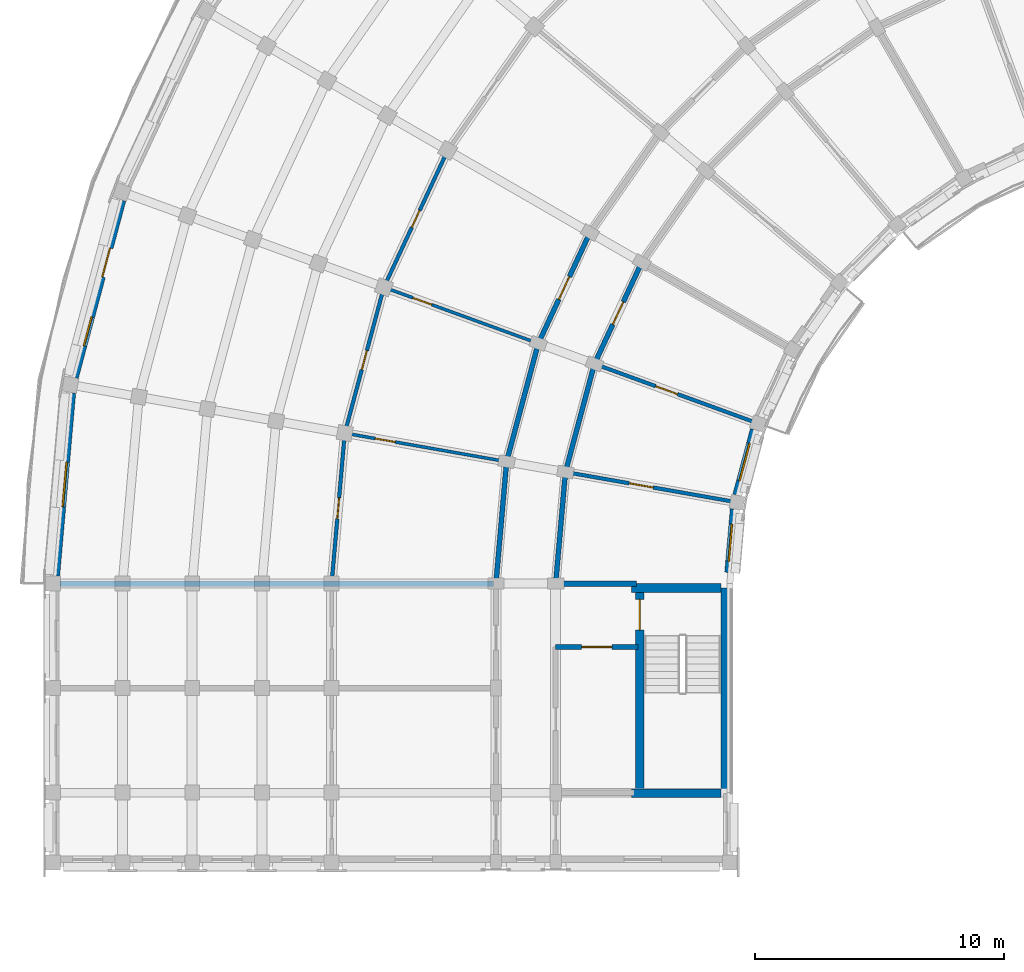
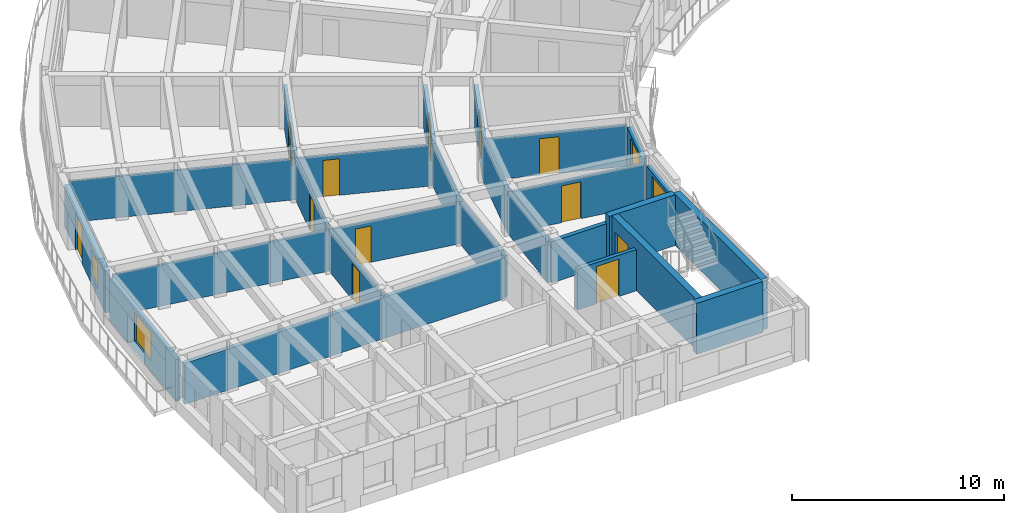
# One storey, part 12 of 36: 24 walls, 12 doors, 4 windows, 16 openings.
"""IFC4 building model written with IfcOpenShell, lengths in metres."""

import ifcopenshell
import ifcopenshell.guid

model = None  # the IFC model being written
_history = None  # IfcOwnerHistory: only IFC2X3 demands one
_inside = {}  # id of a spatial element -> (the spatial element, [elements in it])
_under = {}  # id of a project, library or spatial element -> (it, [spatial elements below it])
_declared = {}  # id of a project -> (the project, [libraries it declares])
_typed = {}  # id of a type object -> (the type object, [elements of that type])
_made_of = {}  # id of a material, layer set ... -> (it, [elements and type objects made of it])


def new_model(schema):
    """Start an empty IFC model of exactly this schema.

    Asked for "IFC4X3", IfcOpenShell would pick the latest addendum, in which some entities
    have other attributes; the version numbers below select the first issue.
    IFC2X3 requires an IfcOwnerHistory on every rooted entity: one is made here for all.
    """
    global model, _history
    if schema == "IFC4X3":
        model = ifcopenshell.file(schema_version=(4, 3, 0, 0))
    else:
        model = ifcopenshell.file(schema=schema)
    _inside.clear()
    _under.clear()
    _declared.clear()
    _typed.clear()
    _made_of.clear()
    _history = None
    if model.schema == "IFC2X3":
        org = make("IfcOrganization", Name="unknown")
        user = make(
            "IfcPersonAndOrganization",
            ThePerson=make("IfcPerson", FamilyName="unknown"),
            TheOrganization=org,
        )
        app = make(
            "IfcApplication",
            ApplicationDeveloper=org,
            Version="unknown",
            ApplicationFullName="unknown",
            ApplicationIdentifier="unknown",
        )
        _history = make(
            "IfcOwnerHistory",
            OwningUser=user,
            OwningApplication=app,
            ChangeAction="ADDED",
            CreationDate=0,
        )
    return model


def make(cls, **values):
    """One entity of the class cls with the attributes given. An attribute that is None is left unset."""
    return model.create_entity(
        cls, **{name: value for name, value in values.items() if value is not None}
    )


def rooted(cls, **values):
    """An entity with a GlobalId (a new one), such as an element, a storey or a relation."""
    return make(cls, GlobalId=ifcopenshell.guid.new(), OwnerHistory=_history, **values)


def si_unit(unit_type, name, prefix=None):
    """IfcSIUnit, for example si_unit("LENGTHUNIT", "METRE", prefix="MILLI")."""
    return make("IfcSIUnit", UnitType=unit_type, Prefix=prefix, Name=name)


def assignment(units):
    """IfcUnitAssignment: the units of a project."""
    return None if units is None else make("IfcUnitAssignment", Units=units)


def point(xyz):
    """IfcCartesianPoint."""
    return None if xyz is None else make("IfcCartesianPoint", Coordinates=xyz)


def direction(xyz):
    """IfcDirection."""
    return None if xyz is None else make("IfcDirection", DirectionRatios=xyz)


def frame(location, z_axis=None, x_axis=None):
    """IfcAxis2Placement3D, a coordinate frame: its origin and axes. An axis left out is left unset."""
    return make(
        "IfcAxis2Placement3D",
        Location=point(location),
        Axis=direction(z_axis),
        RefDirection=direction(x_axis),
    )


def frame_2d(location, x_axis=None):
    """IfcAxis2Placement2D, a coordinate frame in the plane: its origin and x axis."""
    return make(
        "IfcAxis2Placement2D", Location=point(location), RefDirection=direction(x_axis)
    )


def origin():
    """The frame at (0, 0, 0) with its axes left unset."""
    return frame((0.0, 0.0, 0.0))


def place(relative_to, where):
    """IfcLocalPlacement: puts the frame where relative to a parent placement (None: the world)."""
    return make(
        "IfcLocalPlacement", PlacementRelTo=relative_to, RelativePlacement=where
    )


def context(
    kind, dimensions, precision=None, world=None, true_north=None, identifier=None
):
    """IfcGeometricRepresentationContext, for example the 3D "Model" context."""
    return make(
        "IfcGeometricRepresentationContext",
        ContextIdentifier=identifier,
        ContextType=kind,
        CoordinateSpaceDimension=dimensions,
        Precision=precision,
        WorldCoordinateSystem=world,
        TrueNorth=true_north,
    )


def subcontext(parent, identifier, kind, view, scale=None):
    """IfcGeometricRepresentationSubContext, for example "Body" below "Model"."""
    return make(
        "IfcGeometricRepresentationSubContext",
        ContextIdentifier=identifier,
        ContextType=kind,
        ParentContext=parent,
        TargetScale=scale,
        TargetView=view,
    )


def project(units=None, contexts=None):
    """IfcProject with its units and contexts."""
    return rooted(
        "IfcProject",
        Name="project",
        RepresentationContexts=contexts,
        UnitsInContext=assignment(units),
    )


def spatial(cls, under=None, at=None, **own):
    """A site, building, storey or space (cls), placed at a placement, below another one or the project."""
    s = rooted(cls, ObjectPlacement=at, **own)
    if under is not None:
        _under.setdefault(under.id(), (under, []))[1].append(s)
    return s


def profile(cls, at=None, kind="AREA", **sizes):
    """A parametric profile (cls). Its sizes go by their IFC names, for example OverallWidth=200.0."""
    return make(cls, ProfileType=kind, Position=at, **sizes)


def rectangle(**sizes):
    """IfcRectangleProfileDef."""
    return profile("IfcRectangleProfileDef", **sizes)


def extrude(swept, where, along, depth):
    """IfcExtrudedAreaSolid: the profile swept, set in the frame where, extruded along a direction by depth."""
    return make(
        "IfcExtrudedAreaSolid",
        SweptArea=swept,
        Position=where,
        ExtrudedDirection=direction(along),
        Depth=depth,
    )


def shape(context_of_items, identifier, shape_type, items):
    """IfcShapeRepresentation: the items that make up one representation, for example the "Body"."""
    return make(
        "IfcShapeRepresentation",
        ContextOfItems=context_of_items,
        RepresentationIdentifier=identifier,
        RepresentationType=shape_type,
        Items=items,
    )


def material(Name=None, Category=None):
    """IfcMaterial."""
    return make("IfcMaterial", Name=Name, Category=Category)


def layer(
    of_material, thickness, ventilated=None, Name=None, Category=None, Priority=None
):
    """IfcMaterialLayer: one layer of a wall or slab, of a material (None: an air gap)."""
    return make(
        "IfcMaterialLayer",
        Material=of_material,
        LayerThickness=thickness,
        IsVentilated=ventilated,
        Name=Name,
        Category=Category,
        Priority=Priority,
    )


def layer_set(layers, Name=None):
    """IfcMaterialLayerSet."""
    return make("IfcMaterialLayerSet", MaterialLayers=layers, LayerSetName=Name)


def made_of(thing, what):
    """Note that an element or type object is made of a material, layer set ...; save() writes the relation."""
    if what is not None:
        _made_of.setdefault(what.id(), (what, []))[1].append(thing)
    return thing


def type_object(cls, material=None, **own):
    """A type object (cls), such as IfcWallType, which elements share."""
    return made_of(rooted(cls, **own), material)


def element(
    cls,
    number,
    at=None,
    inside=None,
    cuts=None,
    type_object=None,
    material=None,
    context=None,
    identifier="Body",
    shape_type=None,
    held_by="IfcProductDefinitionShape",
    body=None,
    shapes=None,
    **own,
):
    """One element of the class cls, such as IfcWall. Its Tag is "e" and its number.

    at: its placement. inside: the storey or other place that contains it. cuts: it is an
    opening in that element (IfcRelVoidsElement). A single representation is given by context,
    identifier, shape_type and body (its items); several are given by shapes. held_by: the class
    of the entity that holds the representations. save() writes the other relations.
    """
    e = rooted(cls, Tag="e%d" % number, ObjectPlacement=at, **own)
    if body is not None:
        shapes = [shape(context, identifier, shape_type, body)]
    if shapes is not None:
        e.Representation = make(held_by, Representations=shapes)
    if inside is not None:
        _inside.setdefault(inside.id(), (inside, []))[1].append(e)
    if cuts is not None:
        rooted(
            "IfcRelVoidsElement", RelatingBuildingElement=cuts, RelatedOpeningElement=e
        )
    if type_object is not None:
        _typed.setdefault(type_object.id(), (type_object, []))[1].append(e)
    return made_of(e, material)


def fill(opening, filler):
    """IfcRelFillsElement: the door or window that sits in an opening."""
    return rooted(
        "IfcRelFillsElement",
        RelatingOpeningElement=opening,
        RelatedBuildingElement=filler,
    )


def aggregate(whole, parts):
    """IfcRelAggregates: a whole, such as a stair, and the parts it consists of."""
    return rooted("IfcRelAggregates", RelatingObject=whole, RelatedObjects=parts)


def save(model, path):
    """Write the relations noted so far, then the file.

    IfcRelAggregates (storeys below a building ...), IfcRelContainedInSpatialStructure (elements
    in a storey), IfcRelDefinesByType, IfcRelAssociatesMaterial and IfcRelDeclares: one each for
    every whole, place, type object, material and project.
    """
    for whole, parts in _under.values():
        aggregate(whole, parts)
    for where, things in _inside.values():
        rooted(
            "IfcRelContainedInSpatialStructure",
            RelatedElements=things,
            RelatingStructure=where,
        )
    for kind, things in _typed.values():
        rooted("IfcRelDefinesByType", RelatedObjects=things, RelatingType=kind)
    for what, things in _made_of.values():
        rooted("IfcRelAssociatesMaterial", RelatedObjects=things, RelatingMaterial=what)
    for by, libraries in _declared.values():
        rooted("IfcRelDeclares", RelatingContext=by, RelatedDefinitions=libraries)
    model.write(path)


model = new_model("IFC4")

# Units and contexts
model_context = context("Model", 3, precision=1e-05, world=origin(), true_north=direction((0.0, 1.0)))
body_context = subcontext(model_context, "Body", "Model", "MODEL_VIEW")
ifc_project = project(units=[si_unit("LENGTHUNIT", "METRE"), si_unit("AREAUNIT", "SQUARE_METRE"), si_unit("VOLUMEUNIT", "CUBIC_METRE"), si_unit("PLANEANGLEUNIT", "RADIAN"), si_unit("MASSUNIT", "GRAM", prefix="KILO")], contexts=[model_context])

# Site, building, storey
site_placement = place(None, origin())
site = spatial("IfcSite", under=ifc_project, at=site_placement, CompositionType="ELEMENT")
building_placement = place(site_placement, origin())
building = spatial("IfcBuilding", under=site, at=building_placement, Name="Kiranvali Square Residences", CompositionType="ELEMENT")
storey_placement = place(building_placement, frame((0.0, 0.0, 37.050048828125)))
storey = spatial("IfcBuildingStorey", under=building, at=storey_placement, Name="L11", CompositionType="ELEMENT", Elevation=37.050048828125)

# Wall, opening, door
ifc_material_1 = material(Name="Autoclaved aerated concrete blockwork masonry", Category="masonry")
ifc_layer_1 = layer(ifc_material_1, 0.199951171875)
ifc_layer_set_1 = layer_set([ifc_layer_1], Name="Autoclaved aerated concrete blockwork masonry")
wall_type_1 = type_object("IfcWallType", Name="WL-COR-200", PredefinedType="STANDARD", material=ifc_layer_set_1)
wall_1_placement = place(storey_placement, frame((25.699951171875, 85.25, 0.0), z_axis=(0.0, 0.0, 1.0), x_axis=(-1.0, 0.0, 0.0)))
wall_1 = element("IfcWall", 1, at=wall_1_placement, inside=storey, type_object=wall_type_1, Name="L11 architectural wall WL-L11-A-S3-V", PredefinedType="STANDARD", context=body_context, shape_type="SweptSolid", body=[
    extrude(rectangle(XDim=3.300048828125, YDim=0.199951171875, at=frame_2d((1.64990234375, 0.0))), origin(), (0.0, 0.0, 1.0), 2.3720703125),
])
opening_1_placement = place(wall_1_placement, frame((1.0400390625, 0.0, 0.0)))
opening_1 = element("IfcOpeningElement", 2, at=opening_1_placement, cuts=wall_1, Name="Opening FD-COR-60", PredefinedType="OPENING", context=body_context, shape_type="SweptSolid", body=[
    extrude(rectangle(XDim=1.219970703125, YDim=2.14990234375, at=frame_2d((0.60986328125, 1.074951171875))), frame((0.0, 0.10986328125, 0.0), z_axis=(0.0, -1.0, 0.0), x_axis=(1.0, 0.0, 0.0)), (0.0, 0.0, 1.0), 0.219970703125),
])
ifc_material_2 = material(Name="Fire-rated acoustic hardwood and mineral-core door assembly", Category="wood")
door_type_1 = type_object("IfcDoorType", Name="DR-FD60-1200", OperationType="NOTDEFINED", PredefinedType="DOOR", material=ifc_material_2)
door_1_placement = place(opening_1_placement, origin())
door_1 = element("IfcDoor", 3, at=door_1_placement, inside=storey, type_object=door_type_1, Name="L11 door DR-L11-0687 (DR-FD60-1200)", OperationType="SINGLE_SWING_LEFT", OverallHeight=2.14990234375, OverallWidth=1.219970703125, PredefinedType="DOOR", context=body_context, shape_type="SweptSolid", body=[
    extrude(rectangle(XDim=1.219970703125, YDim=2.14990234375, at=frame_2d((0.60986328125, 1.074951171875))), frame((0.0, 0.02490234375, 0.0), z_axis=(0.0, -1.0, 0.0), x_axis=(1.0, 0.0, 0.0)), (0.0, 0.0, 1.0), 0.050048828125),
])
fill(opening_1, door_1)

wall_2_placement = place(storey_placement, frame((25.8564453125, 100.699951171875, 0.0), z_axis=(0.0, 0.0, 1.0), x_axis=(-0.422617978463, -0.906307919131, 0.0)))
wall_2 = element("IfcWall", 4, at=wall_2_placement, inside=storey, type_object=wall_type_1, Name="L11 architectural wall WL-L11-A-CCI-6", PredefinedType="STANDARD", context=body_context, shape_type="SweptSolid", body=[
    extrude(rectangle(XDim=4.497314453125, YDim=0.199951171875, at=frame_2d((2.24853515625, 0.0))), origin(), (0.0, 0.0, 1.0), 2.3720703125),
])
opening_2_placement = place(wall_2_placement, frame((1.74853515625, 0.0, 0.0)))
opening_2 = element("IfcOpeningElement", 5, at=opening_2_placement, cuts=wall_2, Name="Opening FD-APT-60", PredefinedType="OPENING", context=body_context, shape_type="SweptSolid", body=[
    extrude(rectangle(XDim=1.0, YDim=2.14990234375, at=frame_2d((0.5, 1.074951171875))), frame((0.0, 0.10986328125, 0.0), z_axis=(0.0, -1.0, 0.0), x_axis=(1.0, 0.0, 0.0)), (0.0, 0.0, 1.0), 0.219970703125),
])
door_type_2 = type_object("IfcDoorType", Name="DR-APT-1000", OperationType="NOTDEFINED", PredefinedType="DOOR", material=ifc_material_2)
door_2_placement = place(opening_2_placement, frame((1.0, 0.0, 0.0), z_axis=(0.0, 0.0, 1.0), x_axis=(-1.0, 0.0, 0.0)))
door_2 = element("IfcDoor", 6, at=door_2_placement, inside=storey, type_object=door_type_2, Name="L11 door DR-L11-0732 (DR-APT-1000)", OperationType="SINGLE_SWING_RIGHT", OverallHeight=2.14990234375, OverallWidth=1.0, PredefinedType="DOOR", context=body_context, shape_type="SweptSolid", body=[
    extrude(rectangle(XDim=1.0, YDim=2.14990234375, at=frame_2d((0.5, 1.074951171875))), frame((0.0, 0.02490234375, 0.0), z_axis=(0.0, -1.0, 0.0), x_axis=(1.0, 0.0, 0.0)), (0.0, 0.0, 1.0), 0.050048828125),
])
fill(opening_2, door_2)

wall_3_placement = place(storey_placement, frame((23.778076171875, 101.89990234375, 0.0), z_axis=(0.0, 0.0, 1.0), x_axis=(-0.422629854778, -0.906302381024, 0.0)))
wall_3 = element("IfcWall", 7, at=wall_3_placement, inside=storey, type_object=wall_type_1, Name="L11 architectural wall WL-L11-A-CCO-6", PredefinedType="STANDARD", context=body_context, shape_type="SweptSolid", body=[
    extrude(rectangle(XDim=4.915283203125, YDim=0.199951171875, at=frame_2d((2.45751953125, 0.0))), origin(), (0.0, 0.0, 1.0), 2.3720703125),
])
opening_3_placement = place(wall_3_placement, frame((1.957763671875, 0.0, 0.0)))
opening_3 = element("IfcOpeningElement", 8, at=opening_3_placement, cuts=wall_3, Name="Opening FD-APT-60", PredefinedType="OPENING", context=body_context, shape_type="SweptSolid", body=[
    extrude(rectangle(XDim=1.0, YDim=2.14990234375, at=frame_2d((0.5, 1.074951171875))), frame((0.0, 0.10986328125, 0.0), z_axis=(0.0, -1.0, 0.0), x_axis=(1.0, 0.0, 0.0)), (0.0, 0.0, 1.0), 0.219970703125),
])
door_3_placement = place(opening_3_placement, frame((1.0, 0.0, 0.0), z_axis=(0.0, 0.0, 1.0), x_axis=(-1.0, 0.0, 0.0)))
door_3 = element("IfcDoor", 9, at=door_3_placement, inside=storey, type_object=door_type_2, Name="L11 door DR-L11-0726 (DR-APT-1000)", OperationType="SINGLE_SWING_RIGHT", OverallHeight=2.14990234375, OverallWidth=1.0, PredefinedType="DOOR", context=body_context, shape_type="SweptSolid", body=[
    extrude(rectangle(XDim=1.0, YDim=2.14990234375, at=frame_2d((0.5, 1.074951171875))), frame((0.0, 0.02490234375, 0.0), z_axis=(0.0, -1.0, 0.0), x_axis=(1.0, 0.0, 0.0)), (0.0, 0.0, 1.0), 0.050048828125),
])
fill(opening_3, door_3)

# Walls
wall_4_placement = place(storey_placement, frame((23.955810546875, 96.6240234375, 0.0), z_axis=(0.0, 0.0, 1.0), x_axis=(-0.258787642463, -0.965934240054, 0.0)))
element("IfcWall", 10, at=wall_4_placement, inside=storey, type_object=wall_type_1, Name="L11 architectural wall WL-L11-A-CCI-7", PredefinedType="STANDARD", context=body_context, shape_type="SweptSolid", body=[
    extrude(rectangle(XDim=4.497314453125, YDim=0.199951171875, at=frame_2d((2.24853515625, 0.0))), origin(), (0.0, 0.0, 1.0), 2.3720703125),
])
wall_5_placement = place(storey_placement, frame((21.70068359375, 97.445068359375, 0.0), z_axis=(0.0, 0.0, 1.0), x_axis=(-0.258803112091, -0.965930095386, 0.0)))
element("IfcWall", 11, at=wall_5_placement, inside=storey, type_object=wall_type_1, Name="L11 architectural wall WL-L11-A-CCO-7", PredefinedType="STANDARD", context=body_context, shape_type="SweptSolid", body=[
    extrude(rectangle(XDim=4.915771484375, YDim=0.199951171875, at=frame_2d((2.4580078125, 0.0))), origin(), (0.0, 0.0, 1.0), 2.3720703125),
])
wall_6_placement = place(storey_placement, frame((22.7919921875, 92.280029296875, 0.0), z_axis=(0.0, 0.0, 1.0), x_axis=(-0.087187153726, -0.996191949488, 0.0)))
element("IfcWall", 12, at=wall_6_placement, inside=storey, type_object=wall_type_1, Name="L11 architectural wall WL-L11-A-CCI-8", PredefinedType="STANDARD", context=body_context, shape_type="SweptSolid", body=[
    extrude(rectangle(XDim=4.4970703125, YDim=0.199951171875, at=frame_2d((2.24853515625, 0.0))), origin(), (0.0, 0.0, 1.0), 2.3720703125),
])
wall_7_placement = place(storey_placement, frame((20.428466796875, 92.69677734375, 0.0), z_axis=(0.0, 0.0, 1.0), x_axis=(-0.087167566415, -0.996193663584, 0.0)))
element("IfcWall", 13, at=wall_7_placement, inside=storey, type_object=wall_type_1, Name="L11 architectural wall WL-L11-A-CCO-8", PredefinedType="STANDARD", context=body_context, shape_type="SweptSolid", body=[
    extrude(rectangle(XDim=4.91552734375, YDim=0.199951171875, at=frame_2d((2.457763671875, 0.0))), origin(), (0.0, 0.0, 1.0), 2.3720703125),
])
ifc_layer_2 = layer(ifc_material_1, 0.219970703125)
ifc_layer_set_2 = layer_set([ifc_layer_2], Name="Autoclaved aerated concrete blockwork masonry")
wall_type_2 = type_object("IfcWallType", Name="WL-DEM-220", PredefinedType="STANDARD", material=ifc_layer_set_2)
wall_8_placement = place(storey_placement, frame((25.64990234375, 87.800048828125, 0.0), z_axis=(0.0, 0.0, 1.0), x_axis=(-1.0, 0.0, 0.0)))
element("IfcWall", 14, at=wall_8_placement, inside=storey, type_object=wall_type_2, Name="L11 architectural wall WL-L11-A-RADI-9", PredefinedType="STANDARD", context=body_context, shape_type="SweptSolid", body=[
    extrude(rectangle(XDim=3.199951171875, YDim=0.219970703125, at=frame_2d((1.60009765625, 0.0))), origin(), (0.0, 0.0, 1.0), 2.3720703125),
])
wall_9_placement = place(storey_placement, frame((19.89990234375, 87.800048828125, 0.0), z_axis=(0.0, 0.0, 1.0), x_axis=(-1.0, 0.0, 0.0)))
element("IfcWall", 15, at=wall_9_placement, inside=storey, type_object=wall_type_2, Name="L11 architectural wall WL-L11-A-RADO-9", PredefinedType="STANDARD", context=body_context, shape_type="SweptSolid", body=[
    extrude(rectangle(XDim=17.419921875, YDim=0.219970703125, at=frame_2d((8.7099609375, 0.0))), origin(), (0.0, 0.0, 1.0), 2.3720703125),
])

# Wall, openings, door, window
ifc_material_3 = material(Name="Breathable lime-rendered clay brick masonry", Category="masonry")
ifc_layer_3 = layer(ifc_material_3, 0.25)
ifc_layer_set_3 = layer_set([ifc_layer_3], Name="Breathable lime-rendered clay brick masonry")
wall_type_3 = type_object("IfcWallType", Name="WL-EXT-250", PredefinedType="STANDARD", material=ifc_layer_set_3)
wall_10_placement = place(storey_placement, frame((5.010498046875, 103.18603515625, 0.0), z_axis=(0.0, 0.0, 1.0), x_axis=(-0.258821669831, -0.965925122991, 0.0)))
wall_10 = element("IfcWall", 16, at=wall_10_placement, inside=storey, type_object=wall_type_3, Name="L11 exterior wall A-L11-CRV-07", PredefinedType="STANDARD", context=body_context, shape_type="SweptSolid", body=[
    extrude(rectangle(XDim=7.366943359375, YDim=0.25, at=frame_2d((3.68359375, 0.0))), origin(), (0.0, 0.0, 1.0), 2.411865234375),
])
opening_4_placement = place(wall_10_placement, frame((4.83984375, 0.0, 0.4619140625)))
opening_4 = element("IfcOpeningElement", 17, at=opening_4_placement, cuts=wall_10, Name="Opening W-06", PredefinedType="OPENING", context=body_context, shape_type="SweptSolid", body=[
    extrude(rectangle(XDim=1.199951171875, YDim=1.5, at=frame_2d((0.60009765625, 0.75))), frame((0.0, 0.135009765625, 0.0), z_axis=(0.0, -1.0, 0.0), x_axis=(1.0, 0.0, 0.0)), (0.0, 0.0, 1.0), 0.27001953125),
])
opening_5_placement = place(wall_10_placement, frame((1.978515625, 0.0, 0.0)))
opening_5 = element("IfcOpeningElement", 18, at=opening_5_placement, cuts=wall_10, Name="Opening ED-BAL-1", PredefinedType="OPENING", context=body_context, shape_type="SweptSolid", body=[
    extrude(rectangle(XDim=1.199951171875, YDim=2.14990234375, at=frame_2d((0.60009765625, 1.074951171875))), frame((0.0, 0.135009765625, 0.0), z_axis=(0.0, -1.0, 0.0), x_axis=(1.0, 0.0, 0.0)), (0.0, 0.0, 1.0), 0.27001953125),
])
ifc_material_4 = material(Name="Anodised bronze aluminium framing", Category="aluminium")
door_type_3 = type_object("IfcDoorType", Name="DR-BAL-1200", OperationType="NOTDEFINED", PredefinedType="DOOR", material=ifc_material_4)
door_4_placement = place(opening_5_placement, frame((1.199951171875, 0.0, 0.0), z_axis=(0.0, 0.0, 1.0), x_axis=(-1.0, 0.0, 0.0)))
door_4 = element("IfcDoor", 19, at=door_4_placement, inside=storey, type_object=door_type_3, Name="L11 balcony terrace door", OperationType="SINGLE_SWING_LEFT", OverallHeight=2.14990234375, OverallWidth=1.199951171875, PredefinedType="DOOR", context=body_context, shape_type="SweptSolid", body=[
    extrude(rectangle(XDim=1.199951171875, YDim=2.14990234375, at=frame_2d((0.60009765625, 1.074951171875))), frame((0.0, 0.02490234375, 0.0), z_axis=(0.0, -1.0, 0.0), x_axis=(1.0, 0.0, 0.0)), (0.0, 0.0, 1.0), 0.050048828125),
])
fill(opening_5, door_4)
ifc_material_5 = material(Name="Solar-control low-e double glazing", Category="glass")
window_type_1 = type_object("IfcWindowType", Name="WIN-RES-1200x1500", PartitioningType="SINGLE_PANEL", PredefinedType="WINDOW", material=ifc_material_5)
window_1_placement = place(opening_4_placement, origin())
window_1 = element("IfcWindow", 20, at=window_1_placement, inside=storey, type_object=window_type_1, Name="L11 recessed window A-L11-CRV-07", OverallHeight=1.5, OverallWidth=1.199951171875, PartitioningType="SINGLE_PANEL", PredefinedType="WINDOW", context=body_context, shape_type="SweptSolid", body=[
    extrude(rectangle(XDim=1.199951171875, YDim=1.5, at=frame_2d((0.60009765625, 0.75))), frame((0.0, 0.030029296875, 0.0), z_axis=(0.0, -1.0, 0.0), x_axis=(1.0, 0.0, 0.0)), (0.0, 0.0, 1.0), 0.06005859375),
])
fill(opening_4, window_1)

# Wall, opening, window
wall_11_placement = place(storey_placement, frame((2.994873046875, 95.45263671875, 0.0), z_axis=(0.0, 0.0, 1.0), x_axis=(-0.087122963287, -0.996197565379, 0.0)))
wall_11 = element("IfcWall", 21, at=wall_11_placement, inside=storey, type_object=wall_type_3, Name="L11 exterior wall A-L11-CRV-08", PredefinedType="STANDARD", context=body_context, shape_type="SweptSolid", body=[
    extrude(rectangle(XDim=7.3671875, YDim=0.25, at=frame_2d((3.68359375, 0.0))), origin(), (0.0, 0.0, 1.0), 2.411865234375),
])
opening_6_placement = place(wall_11_placement, frame((2.783447265625, 0.0, 0.56201171875)))
opening_6 = element("IfcOpeningElement", 22, at=opening_6_placement, cuts=wall_11, Name="Opening W-04", PredefinedType="OPENING", context=body_context, shape_type="SweptSolid", body=[
    extrude(rectangle(XDim=1.800048828125, YDim=1.64990234375, at=frame_2d((0.89990234375, 0.824951171875))), frame((0.0, 0.135009765625, 0.0), z_axis=(0.0, -1.0, 0.0), x_axis=(1.0, 0.0, 0.0)), (0.0, 0.0, 1.0), 0.27001953125),
])
window_type_2 = type_object("IfcWindowType", Name="WIN-RES-1800x1650", PartitioningType="DOUBLE_PANEL_VERTICAL", PredefinedType="WINDOW", material=ifc_material_5)
window_2_placement = place(opening_6_placement, origin())
window_2 = element("IfcWindow", 23, at=window_2_placement, inside=storey, type_object=window_type_2, Name="L11 recessed window A-L11-CRV-08", OverallHeight=1.64990234375, OverallWidth=1.800048828125, PartitioningType="DOUBLE_PANEL_VERTICAL", PredefinedType="WINDOW", context=body_context, shape_type="SweptSolid", body=[
    extrude(rectangle(XDim=1.800048828125, YDim=1.64990234375, at=frame_2d((0.89990234375, 0.824951171875))), frame((0.0, 0.030029296875, 0.0), z_axis=(0.0, -1.0, 0.0), x_axis=(1.0, 0.0, 0.0)), (0.0, 0.0, 1.0), 0.06005859375),
])
fill(opening_6, window_2)

wall_12_placement = place(storey_placement, frame((30.3408203125, 93.9931640625, 0.0), z_axis=(0.0, 0.0, 1.0), x_axis=(-0.258807879411, -0.965928818058, 0.0)))
wall_12 = element("IfcWall", 24, at=wall_12_placement, inside=storey, type_object=wall_type_3, Name="L11 exterior wall A-L11-GDN-07", PredefinedType="STANDARD", context=body_context, shape_type="SweptSolid", body=[
    extrude(rectangle(XDim=2.7197265625, YDim=0.25, at=frame_2d((1.35986328125, 0.0))), origin(), (0.0, 0.0, 1.0), 2.421875),
])
opening_7_placement = place(wall_12_placement, frame((0.5849609375, 0.0, 0.6220703125)))
opening_7 = element("IfcOpeningElement", 25, at=opening_7_placement, cuts=wall_12, Name="Opening W-18", PredefinedType="OPENING", context=body_context, shape_type="SweptSolid", body=[
    extrude(rectangle(XDim=1.550048828125, YDim=1.60009765625, at=frame_2d((0.77490234375, 0.800048828125))), frame((0.0, 0.135009765625, 0.0), z_axis=(0.0, -1.0, 0.0), x_axis=(1.0, 0.0, 0.0)), (0.0, 0.0, 1.0), 0.27001953125),
])
window_type_3 = type_object("IfcWindowType", Name="WIN-GDN-1550x1600", PartitioningType="DOUBLE_PANEL_VERTICAL", PredefinedType="WINDOW", material=ifc_material_5)
window_3_placement = place(opening_7_placement, origin())
window_3 = element("IfcWindow", 26, at=window_3_placement, inside=storey, type_object=window_type_3, Name="L11 recessed window A-L11-GDN-07", OverallHeight=1.60009765625, OverallWidth=1.550048828125, PartitioningType="DOUBLE_PANEL_VERTICAL", PredefinedType="WINDOW", context=body_context, shape_type="SweptSolid", body=[
    extrude(rectangle(XDim=1.550048828125, YDim=1.60009765625, at=frame_2d((0.77490234375, 0.800048828125))), frame((0.0, 0.030029296875, 0.0), z_axis=(0.0, -1.0, 0.0), x_axis=(1.0, 0.0, 0.0)), (0.0, 0.0, 1.0), 0.06005859375),
])
fill(opening_7, window_3)

wall_13_placement = place(storey_placement, frame((29.536865234375, 90.7978515625, 0.0), z_axis=(0.0, 0.0, 1.0), x_axis=(-0.087222589008, -0.996188847542, 0.0)))
wall_13 = element("IfcWall", 27, at=wall_13_placement, inside=storey, type_object=wall_type_3, Name="L11 exterior wall A-L11-GDN-08", PredefinedType="STANDARD", context=body_context, shape_type="SweptSolid", body=[
    extrude(rectangle(XDim=2.558349609375, YDim=0.25, at=frame_2d((1.279296875, 0.0))), origin(), (0.0, 0.0, 1.0), 2.421875),
])
opening_8_placement = place(wall_13_placement, frame((0.60986328125, 0.0, 0.572021484375)))
opening_8 = element("IfcOpeningElement", 28, at=opening_8_placement, cuts=wall_13, Name="Opening W-05", PredefinedType="OPENING", context=body_context, shape_type="SweptSolid", body=[
    extrude(rectangle(XDim=1.5, YDim=1.64990234375, at=frame_2d((0.75, 0.824951171875))), frame((0.0, 0.135009765625, 0.0), z_axis=(0.0, -1.0, 0.0), x_axis=(1.0, 0.0, 0.0)), (0.0, 0.0, 1.0), 0.27001953125),
])
window_type_4 = type_object("IfcWindowType", Name="WIN-RES-1500x1650", PartitioningType="DOUBLE_PANEL_VERTICAL", PredefinedType="WINDOW", material=ifc_material_5)
window_4_placement = place(opening_8_placement, origin())
window_4 = element("IfcWindow", 29, at=window_4_placement, inside=storey, type_object=window_type_4, Name="L11 recessed window A-L11-GDN-08", OverallHeight=1.64990234375, OverallWidth=1.5, PartitioningType="DOUBLE_PANEL_VERTICAL", PredefinedType="WINDOW", context=body_context, shape_type="SweptSolid", body=[
    extrude(rectangle(XDim=1.5, YDim=1.64990234375, at=frame_2d((0.75, 0.824951171875))), frame((0.0, 0.030029296875, 0.0), z_axis=(0.0, -1.0, 0.0), x_axis=(1.0, 0.0, 0.0)), (0.0, 0.0, 1.0), 0.06005859375),
])
fill(opening_8, window_4)

# Wall, opening, door
ifc_material_6 = material(Name="Acoustic gypsum board drylined partition", Category="gypsum")
ifc_layer_4 = layer(ifc_material_6, 0.125)
ifc_layer_set_4 = layer_set([ifc_layer_4], Name="Acoustic gypsum board drylined partition")
wall_type_4 = type_object("IfcWallType", Name="WL-PRT-125", PredefinedType="PARTITIONING", material=ifc_layer_set_4)
wall_14_placement = place(storey_placement, frame((21.606689453125, 97.479248046875, 0.0), z_axis=(0.0, 0.0, 1.0), x_axis=(-0.939691901159, 0.342022120477, 0.0)))
wall_14 = element("IfcWall", 30, at=wall_14_placement, inside=storey, type_object=wall_type_4, Name="L11 architectural wall WL-L11-A-RADO-7", PredefinedType="PARTITIONING", context=body_context, shape_type="SweptSolid", body=[
    extrude(rectangle(XDim=17.419921875, YDim=0.125, at=frame_2d((8.7099609375, 0.0))), origin(), (0.0, 0.0, 1.0), 2.3720703125),
])
opening_9_placement = place(wall_14_placement, frame((4.44970703125, 0.0, 0.0)))
opening_9 = element("IfcOpeningElement", 31, at=opening_9_placement, cuts=wall_14, Name="Opening ID-WET", PredefinedType="OPENING", context=body_context, shape_type="SweptSolid", body=[
    extrude(rectangle(XDim=0.800048828125, YDim=2.10009765625, at=frame_2d((0.39990234375, 1.050048828125))), frame((0.0, 0.072509765625, 0.0), z_axis=(0.0, -1.0, 0.0), x_axis=(1.0, 0.0, 0.0)), (0.0, 0.0, 1.0), 0.14501953125),
])
ifc_material_7 = material(Name="Solid seasoned teak hardwood joinery", Category="wood")
door_type_4 = type_object("IfcDoorType", Name="DR-WET-800", OperationType="NOTDEFINED", PredefinedType="DOOR", material=ifc_material_7)
door_5_placement = place(opening_9_placement, frame((0.800048828125, 0.0, 0.0), z_axis=(0.0, 0.0, 1.0), x_axis=(-1.0, 0.0, 0.0)))
door_5 = element("IfcDoor", 32, at=door_5_placement, inside=storey, type_object=door_type_4, Name="L11 door DR-L11-0714 (DR-WET-800)", OperationType="SINGLE_SWING_RIGHT", OverallHeight=2.10009765625, OverallWidth=0.800048828125, PredefinedType="DOOR", context=body_context, shape_type="SweptSolid", body=[
    extrude(rectangle(XDim=0.800048828125, YDim=2.10009765625, at=frame_2d((0.39990234375, 1.050048828125))), frame((0.0, 0.02490234375, 0.0), z_axis=(0.0, -1.0, 0.0), x_axis=(1.0, 0.0, 0.0)), (0.0, 0.0, 1.0), 0.050048828125),
])
fill(opening_9, door_5)

wall_15_placement = place(storey_placement, frame((20.329833984375, 92.71435546875, 0.0), z_axis=(0.0, 0.0, 1.0), x_axis=(-0.984808098809, 0.173646216546, 0.0)))
wall_15 = element("IfcWall", 33, at=wall_15_placement, inside=storey, type_object=wall_type_4, Name="L11 architectural wall WL-L11-A-RADO-8", PredefinedType="PARTITIONING", context=body_context, shape_type="SweptSolid", body=[
    extrude(rectangle(XDim=17.419921875, YDim=0.125, at=frame_2d((8.7099609375, 0.0))), origin(), (0.0, 0.0, 1.0), 2.3720703125),
])
opening_10_placement = place(wall_15_placement, frame((4.44970703125, 0.0, 0.0)))
opening_10 = element("IfcOpeningElement", 34, at=opening_10_placement, cuts=wall_15, Name="Opening ID-WET", PredefinedType="OPENING", context=body_context, shape_type="SweptSolid", body=[
    extrude(rectangle(XDim=0.800048828125, YDim=2.10009765625, at=frame_2d((0.39990234375, 1.050048828125))), frame((0.0, 0.072509765625, 0.0), z_axis=(0.0, -1.0, 0.0), x_axis=(1.0, 0.0, 0.0)), (0.0, 0.0, 1.0), 0.14501953125),
])
door_6_placement = place(opening_10_placement, frame((0.800048828125, 0.0, 0.0), z_axis=(0.0, 0.0, 1.0), x_axis=(-1.0, 0.0, 0.0)))
door_6 = element("IfcDoor", 35, at=door_6_placement, inside=storey, type_object=door_type_4, Name="L11 door DR-L11-0716 (DR-WET-800)", OperationType="SINGLE_SWING_RIGHT", OverallHeight=2.10009765625, OverallWidth=0.800048828125, PredefinedType="DOOR", context=body_context, shape_type="SweptSolid", body=[
    extrude(rectangle(XDim=0.800048828125, YDim=2.10009765625, at=frame_2d((0.39990234375, 1.050048828125))), frame((0.0, 0.02490234375, 0.0), z_axis=(0.0, -1.0, 0.0), x_axis=(1.0, 0.0, 0.0)), (0.0, 0.0, 1.0), 0.050048828125),
])
fill(opening_10, door_6)

ifc_layer_5 = layer(ifc_material_6, 0.14990234375)
ifc_layer_set_5 = layer_set([ifc_layer_5], Name="Acoustic gypsum board drylined partition")
wall_type_5 = type_object("IfcWallType", Name="WL-PRT-150", PredefinedType="PARTITIONING", material=ifc_layer_set_5)
wall_16_placement = place(storey_placement, frame((30.345947265625, 94.29833984375, 0.0), z_axis=(0.0, 0.0, 1.0), x_axis=(-0.939696231917, 0.342010221662, 0.0)))
wall_16 = element("IfcWall", 36, at=wall_16_placement, inside=storey, type_object=wall_type_5, Name="L11 architectural wall WL-L11-A-RADI-7", PredefinedType="PARTITIONING", context=body_context, shape_type="SweptSolid", body=[
    extrude(rectangle(XDim=6.75, YDim=0.14990234375, at=frame_2d((3.375, 0.0))), origin(), (0.0, 0.0, 1.0), 2.3720703125),
])
opening_11_placement = place(wall_16_placement, frame((3.242431640625, 0.0, 0.0)))
opening_11 = element("IfcOpeningElement", 37, at=opening_11_placement, cuts=wall_16, Name="Opening ID-2", PredefinedType="OPENING", context=body_context, shape_type="SweptSolid", body=[
    extrude(rectangle(XDim=0.93994140625, YDim=2.10009765625, at=frame_2d((0.469970703125, 1.050048828125))), frame((0.0, 0.0849609375, 0.0), z_axis=(0.0, -1.0, 0.0), x_axis=(1.0, 0.0, 0.0)), (0.0, 0.0, 1.0), 0.169921875),
])
door_type_5 = type_object("IfcDoorType", Name="DR-INT-940", OperationType="NOTDEFINED", PredefinedType="DOOR", material=ifc_material_7)
door_7_placement = place(opening_11_placement, origin())
door_7 = element("IfcDoor", 38, at=door_7_placement, inside=storey, type_object=door_type_5, Name="L11 door DR-L11-0713 (DR-INT-940)", OperationType="SINGLE_SWING_LEFT", OverallHeight=2.10009765625, OverallWidth=0.93994140625, PredefinedType="DOOR", context=body_context, shape_type="SweptSolid", body=[
    extrude(rectangle(XDim=0.93994140625, YDim=2.10009765625, at=frame_2d((0.469970703125, 1.050048828125))), frame((0.0, 0.02490234375, 0.0), z_axis=(0.0, -1.0, 0.0), x_axis=(1.0, 0.0, 0.0)), (0.0, 0.0, 1.0), 0.050048828125),
])
fill(opening_11, door_7)

wall_17_placement = place(storey_placement, frame((29.48876953125, 91.099365234375, 0.0), z_axis=(0.0, 0.0, 1.0), x_axis=(-0.984807944945, 0.173647089161, 0.0)))
wall_17 = element("IfcWall", 39, at=wall_17_placement, inside=storey, type_object=wall_type_5, Name="L11 architectural wall WL-L11-A-RADI-8", PredefinedType="PARTITIONING", context=body_context, shape_type="SweptSolid", body=[
    extrude(rectangle(XDim=6.75, YDim=0.14990234375, at=frame_2d((3.375, 0.0))), origin(), (0.0, 0.0, 1.0), 2.3720703125),
])
opening_12_placement = place(wall_17_placement, frame((3.222412109375, 0.0, 0.0)))
opening_12 = element("IfcOpeningElement", 40, at=opening_12_placement, cuts=wall_17, Name="Opening ID-3", PredefinedType="OPENING", context=body_context, shape_type="SweptSolid", body=[
    extrude(rectangle(XDim=0.97998046875, YDim=2.1201171875, at=frame_2d((0.489990234375, 1.06005859375))), frame((0.0, 0.0849609375, 0.0), z_axis=(0.0, -1.0, 0.0), x_axis=(1.0, 0.0, 0.0)), (0.0, 0.0, 1.0), 0.169921875),
])
door_type_6 = type_object("IfcDoorType", Name="DR-INT-980", OperationType="NOTDEFINED", PredefinedType="DOOR", material=ifc_material_7)
door_8_placement = place(opening_12_placement, origin())
door_8 = element("IfcDoor", 41, at=door_8_placement, inside=storey, type_object=door_type_6, Name="L11 door DR-L11-0715 (DR-INT-980)", OperationType="SINGLE_SWING_LEFT", OverallHeight=2.1201171875, OverallWidth=0.97998046875, PredefinedType="DOOR", context=body_context, shape_type="SweptSolid", body=[
    extrude(rectangle(XDim=0.97998046875, YDim=2.1201171875, at=frame_2d((0.489990234375, 1.06005859375))), frame((0.0, 0.02490234375, 0.0), z_axis=(0.0, -1.0, 0.0), x_axis=(1.0, 0.0, 0.0)), (0.0, 0.0, 1.0), 0.050048828125),
])
fill(opening_12, door_8)

# Wall
ifc_material_8 = material(Name="Concrete M45 (45 MPa)", Category="concrete")
ifc_layer_6 = layer(ifc_material_8, 0.320068359375)
ifc_layer_set_6 = layer_set([ifc_layer_6], Name="Concrete M45 (45 MPa)")
wall_type_6 = type_object("IfcWallType", Name="WL-SHR-320", PredefinedType="SHEAR", material=ifc_layer_set_6)
wall_18_placement = place(storey_placement, frame((29.22509765625, 87.625, 0.0), z_axis=(0.0, 0.0, 1.0), x_axis=(0.0, -1.0, 0.0)))
element("IfcWall", 42, at=wall_18_placement, inside=storey, type_object=wall_type_6, Name="Block A core shear wall SW-A3-OUT-L11", PredefinedType="SHEAR", context=body_context, shape_type="SweptSolid", body=[
    extrude(rectangle(XDim=8.25, YDim=0.35009765625, at=frame_2d((4.125, 0.0))), origin(), (0.0, 0.0, 1.0), 2.929931640625),
])

# Wall, opening, door
wall_19_placement = place(storey_placement, frame((25.77490234375, 87.449951171875, 0.0), z_axis=(0.0, 0.0, 1.0), x_axis=(0.0, -1.0, 0.0)))
wall_19 = element("IfcWall", 43, at=wall_19_placement, inside=storey, type_object=wall_type_6, Name="Block A core shear wall SW-A3-IN-L11", PredefinedType="SHEAR", context=body_context, shape_type="SweptSolid", body=[
    extrude(rectangle(XDim=7.89990234375, YDim=0.35009765625, at=frame_2d((3.949951171875, 0.0))), origin(), (0.0, 0.0, 1.0), 2.929931640625),
])
opening_13_placement = place(wall_19_placement, frame((0.280029296875, 0.0, 0.0)))
opening_13 = element("IfcOpeningElement", 44, at=opening_13_placement, cuts=wall_19, Name="Opening FD-ST-120", PredefinedType="OPENING", context=body_context, shape_type="SweptSolid", body=[
    extrude(rectangle(XDim=1.239990234375, YDim=2.14990234375, at=frame_2d((0.6201171875, 1.074951171875))), frame((0.0, 0.18505859375, 0.0), z_axis=(0.0, -1.0, 0.0), x_axis=(1.0, 0.0, 0.0)), (0.0, 0.0, 1.0), 0.3701171875),
])
door_type_7 = type_object("IfcDoorType", Name="DR-FD120-1200", OperationType="NOTDEFINED", PredefinedType="DOOR", material=ifc_material_2)
door_9_placement = place(opening_13_placement, origin())
door_9 = element("IfcDoor", 45, at=door_9_placement, inside=storey, type_object=door_type_7, Name="L11 door DR-L11-0683 (DR-FD120-1200)", OperationType="SINGLE_SWING_LEFT", OverallHeight=2.14990234375, OverallWidth=1.239990234375, PredefinedType="DOOR", context=body_context, shape_type="SweptSolid", body=[
    extrude(rectangle(XDim=1.239990234375, YDim=2.14990234375, at=frame_2d((0.6201171875, 1.074951171875))), frame((0.0, 0.02490234375, 0.0), z_axis=(0.0, -1.0, 0.0), x_axis=(1.0, 0.0, 0.0)), (0.0, 0.0, 1.0), 0.050048828125),
])
fill(opening_13, door_9)

# Walls
for number, where, z_axis, x_axis, name in (
    (46, (29.050048828125, 87.625, 0.0), (0.0, 0.0, 1.0), (-1.0, 0.0, 0.0), "Block A core shear wall SW-A3-NEAR-L11"),
    (47, (29.050048828125, 79.375, 0.0), (0.0, 0.0, 1.0), (-1.0, 0.0, 0.0), "Block A core shear wall SW-A3-FAR-L11"),
):
    element("IfcWall", number, at=place(storey_placement, frame(where, z_axis=z_axis, x_axis=x_axis)), inside=storey, type_object=wall_type_6, Name=name, PredefinedType="SHEAR", context=body_context, shape_type="SweptSolid", body=[
        extrude(rectangle(XDim=3.60009765625, YDim=0.35009765625, at=frame_2d((1.800048828125, 0.0))), origin(), (0.0, 0.0, 1.0), 2.929931640625),
    ])

# Wall, opening, door
ifc_layer_7 = layer(ifc_material_1, 0.14990234375)
ifc_layer_set_7 = layer_set([ifc_layer_7], Name="Autoclaved aerated concrete blockwork masonry")
wall_type_7 = type_object("IfcWallType", Name="WL-WET-150", PredefinedType="PLUMBINGWALL", material=ifc_layer_set_7)
wall_20_placement = place(storey_placement, frame((18.062255859375, 105.199951171875, 0.0), z_axis=(0.0, 0.0, 1.0), x_axis=(-0.42260781991, -0.906312656069, 0.0)))
wall_20 = element("IfcWall", 48, at=wall_20_placement, inside=storey, type_object=wall_type_7, Name="L11 architectural wall WL-L11-A-CWET-6", PredefinedType="PLUMBINGWALL", context=body_context, shape_type="SweptSolid", body=[
    extrude(rectangle(XDim=6.06591796875, YDim=0.14990234375, at=frame_2d((3.032958984375, 0.0))), origin(), (0.0, 0.0, 1.0), 2.3720703125),
])
opening_14_placement = place(wall_20_placement, frame((2.653076171875, 0.0, 0.0)))
opening_14 = element("IfcOpeningElement", 49, at=opening_14_placement, cuts=wall_20, Name="Opening ID-WET0", PredefinedType="OPENING", context=body_context, shape_type="SweptSolid", body=[
    extrude(rectangle(XDim=0.760009765625, YDim=2.050048828125, at=frame_2d((0.3798828125, 1.02490234375))), frame((0.0, 0.0849609375, 0.0), z_axis=(0.0, -1.0, 0.0), x_axis=(1.0, 0.0, 0.0)), (0.0, 0.0, 1.0), 0.169921875),
])
door_type_8 = type_object("IfcDoorType", Name="DR-WET-760", OperationType="NOTDEFINED", PredefinedType="DOOR", material=ifc_material_7)
door_10_placement = place(opening_14_placement, origin())
door_10 = element("IfcDoor", 50, at=door_10_placement, inside=storey, type_object=door_type_8, Name="L11 door DR-L11-0727 (DR-WET-760)", OperationType="SINGLE_SWING_LEFT", OverallHeight=2.050048828125, OverallWidth=0.760009765625, PredefinedType="DOOR", context=body_context, shape_type="SweptSolid", body=[
    extrude(rectangle(XDim=0.760009765625, YDim=2.050048828125, at=frame_2d((0.3798828125, 1.02490234375))), frame((0.0, 0.02490234375, 0.0), z_axis=(0.0, -1.0, 0.0), x_axis=(1.0, 0.0, 0.0)), (0.0, 0.0, 1.0), 0.050048828125),
])
fill(opening_14, door_10)

wall_21_placement = place(storey_placement, frame((15.498779296875, 99.702392578125, 0.0), z_axis=(0.0, 0.0, 1.0), x_axis=(-0.258827283048, -0.965923618901, 0.0)))
wall_21 = element("IfcWall", 51, at=wall_21_placement, inside=storey, type_object=wall_type_7, Name="L11 architectural wall WL-L11-A-CWET-7", PredefinedType="PLUMBINGWALL", context=body_context, shape_type="SweptSolid", body=[
    extrude(rectangle(XDim=6.066162109375, YDim=0.14990234375, at=frame_2d((3.033203125, 0.0))), origin(), (0.0, 0.0, 1.0), 2.3720703125),
])
opening_15_placement = place(wall_21_placement, frame((2.633056640625, 0.0, 0.0)))
opening_15 = element("IfcOpeningElement", 52, at=opening_15_placement, cuts=wall_21, Name="Opening ID-WET", PredefinedType="OPENING", context=body_context, shape_type="SweptSolid", body=[
    extrude(rectangle(XDim=0.800048828125, YDim=2.10009765625, at=frame_2d((0.39990234375, 1.050048828125))), frame((0.0, 0.0849609375, 0.0), z_axis=(0.0, -1.0, 0.0), x_axis=(1.0, 0.0, 0.0)), (0.0, 0.0, 1.0), 0.169921875),
])
door_11_placement = place(opening_15_placement, frame((0.800048828125, 0.0, 0.0), z_axis=(0.0, 0.0, 1.0), x_axis=(-1.0, 0.0, 0.0)))
door_11 = element("IfcDoor", 53, at=door_11_placement, inside=storey, type_object=door_type_4, Name="L11 door DR-L11-0728 (DR-WET-800)", OperationType="SINGLE_SWING_RIGHT", OverallHeight=2.10009765625, OverallWidth=0.800048828125, PredefinedType="DOOR", context=body_context, shape_type="SweptSolid", body=[
    extrude(rectangle(XDim=0.800048828125, YDim=2.10009765625, at=frame_2d((0.39990234375, 1.050048828125))), frame((0.0, 0.02490234375, 0.0), z_axis=(0.0, -1.0, 0.0), x_axis=(1.0, 0.0, 0.0)), (0.0, 0.0, 1.0), 0.050048828125),
])
fill(opening_15, door_11)

wall_22_placement = place(storey_placement, frame((13.9287109375, 93.843017578125, 0.0), z_axis=(0.0, 0.0, 1.0), x_axis=(-0.087174938512, -0.996193018494, 0.0)))
wall_22 = element("IfcWall", 54, at=wall_22_placement, inside=storey, type_object=wall_type_7, Name="L11 architectural wall WL-L11-A-CWET-8", PredefinedType="PLUMBINGWALL", context=body_context, shape_type="SweptSolid", body=[
    extrude(rectangle(XDim=6.066162109375, YDim=0.14990234375, at=frame_2d((3.033203125, 0.0))), origin(), (0.0, 0.0, 1.0), 2.3720703125),
])
opening_16_placement = place(wall_22_placement, frame((2.613037109375, 0.0, 0.0)))
opening_16 = element("IfcOpeningElement", 55, at=opening_16_placement, cuts=wall_22, Name="Opening ID-WET2", PredefinedType="OPENING", context=body_context, shape_type="SweptSolid", body=[
    extrude(rectangle(XDim=0.840087890625, YDim=2.10009765625, at=frame_2d((0.419921875, 1.050048828125))), frame((0.0, 0.0849609375, 0.0), z_axis=(0.0, -1.0, 0.0), x_axis=(1.0, 0.0, 0.0)), (0.0, 0.0, 1.0), 0.169921875),
])
door_type_9 = type_object("IfcDoorType", Name="DR-WET-840", OperationType="NOTDEFINED", PredefinedType="DOOR", material=ifc_material_7)
door_12_placement = place(opening_16_placement, origin())
door_12 = element("IfcDoor", 56, at=door_12_placement, inside=storey, type_object=door_type_9, Name="L11 door DR-L11-0729 (DR-WET-840)", OperationType="SINGLE_SWING_LEFT", OverallHeight=2.10009765625, OverallWidth=0.840087890625, PredefinedType="DOOR", context=body_context, shape_type="SweptSolid", body=[
    extrude(rectangle(XDim=0.840087890625, YDim=2.10009765625, at=frame_2d((0.419921875, 1.050048828125))), frame((0.0, 0.02490234375, 0.0), z_axis=(0.0, -1.0, 0.0), x_axis=(1.0, 0.0, 0.0)), (0.0, 0.0, 1.0), 0.050048828125),
])
fill(opening_16, door_12)

save(model, "model.ifc")
